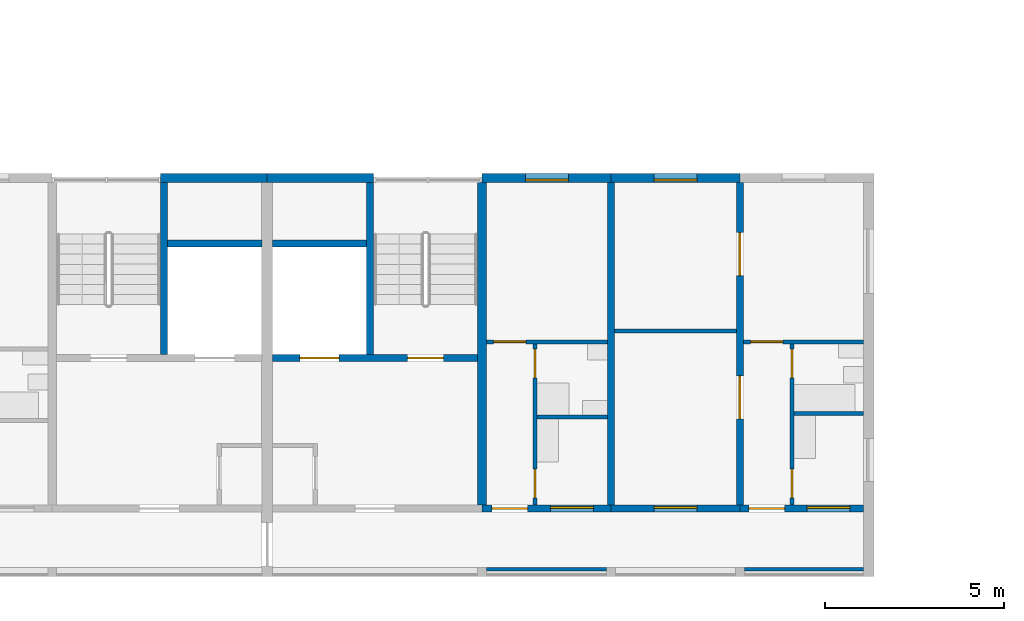
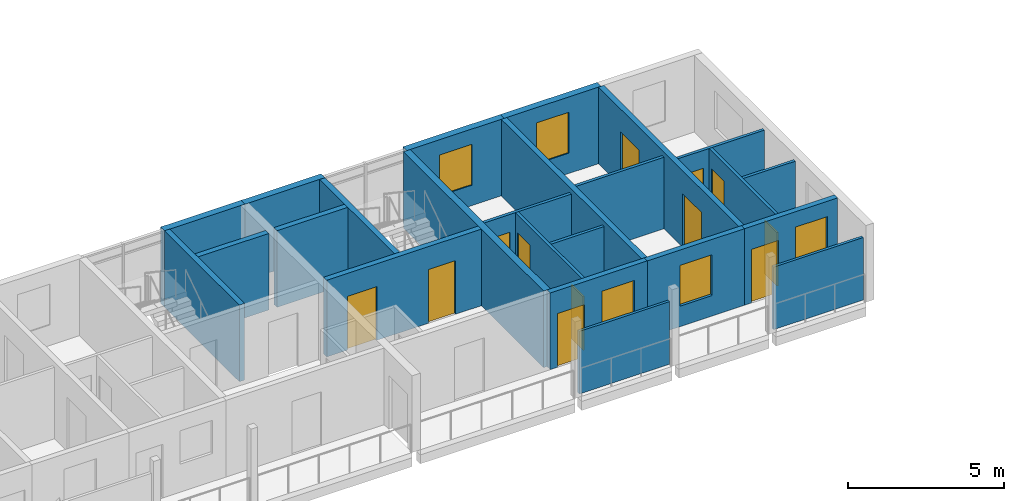
# One storey, part 44 of 87: 24 walls, 12 doors, 5 windows, 17 openings.
"""IFC4 building model written with IfcOpenShell, lengths in metres."""

from ifc_helpers import new_model, si_unit, direction, frame, frame_2d, origin, place, context, subcontext, project, spatial, rectangle, extrude, material, layer, layer_set, type_object, element, fill, save


model = new_model("IFC4")

# Units and contexts
model_context = context("Model", 3, precision=1e-05, world=origin(), true_north=direction((0.0, 1.0)))
body_context = subcontext(model_context, "Body", "Model", "MODEL_VIEW")
ifc_project = project(units=[si_unit("LENGTHUNIT", "METRE"), si_unit("AREAUNIT", "SQUARE_METRE"), si_unit("VOLUMEUNIT", "CUBIC_METRE"), si_unit("PLANEANGLEUNIT", "RADIAN"), si_unit("MASSUNIT", "GRAM", prefix="KILO")], contexts=[model_context])

# Site, building, storey
site_placement = place(None, origin())
site = spatial("IfcSite", under=ifc_project, at=site_placement, CompositionType="ELEMENT")
building_placement = place(site_placement, origin())
building = spatial("IfcBuilding", under=site, at=building_placement, Name="Ridgestep Commons", CompositionType="ELEMENT")
storey_placement = place(building_placement, frame((0.0, 0.0, 27.0)))
storey = spatial("IfcBuildingStorey", under=building, at=storey_placement, Name="L09", CompositionType="ELEMENT", Elevation=27.0)

# Walls
ifc_material_1 = material(Name="Concrete C30/37", Category="concrete")
ifc_layer_1 = layer(ifc_material_1, 0.25)
ifc_layer_set_1 = layer_set([ifc_layer_1], Name="Core cross wall 250")
wall_type_1 = type_object("IfcWallType", Name="Core cross wall 250", PredefinedType="SHEAR", material=ifc_layer_set_1)
wall_1_placement = place(storey_placement, frame((102.0, 13.75, 0.0), z_axis=(0.0, 0.0, 1.0), x_axis=(0.0, 1.0, 0.0)))
element("IfcWall", 1, at=wall_1_placement, inside=storey, type_object=wall_type_1, Name="Cross wall A-09-1020", PredefinedType="SHEAR", context=body_context, shape_type="SweptSolid", body=[
    extrude(rectangle(XDim=9.0, YDim=0.25, at=frame_2d((4.5, 0.0))), origin(), (0.0, 0.0, 1.0), 3.0),
])
ifc_material_2 = material(Name="Concrete C30/37", Category="concrete")
ifc_layer_2 = layer(ifc_material_2, 0.199951171875)
ifc_layer_set_2 = layer_set([ifc_layer_2], Name="Core wall 200")
wall_type_2 = type_object("IfcWallType", Name="Core wall 200", PredefinedType="SHEAR", material=ifc_layer_set_2)
wall_2_placement = place(storey_placement, frame((93.125, 17.949951171875, 0.0), z_axis=(0.0, 0.0, 1.0), x_axis=(0.0, 1.0, 0.0)))
element("IfcWall", 2, at=wall_2_placement, inside=storey, type_object=wall_type_2, Name="Core stair wall A5C L09", PredefinedType="SHEAR", context=body_context, shape_type="SweptSolid", body=[
    extrude(rectangle(XDim=4.800048828125, YDim=0.199951171875, at=frame_2d((2.39990234375, 0.0))), origin(), (0.0, 0.0, 1.0), 3.0),
])
wall_3_placement = place(storey_placement, frame((93.22509765625, 21.050048828125, 0.0), z_axis=(0.0, 0.0, 1.0), x_axis=(1.0, 0.0, 0.0)))
element("IfcWall", 3, at=wall_3_placement, inside=storey, type_object=wall_type_2, Name="Core duct wall A5C L09", PredefinedType="SHEAR", context=body_context, shape_type="SweptSolid", body=[
    extrude(rectangle(XDim=2.625, YDim=0.199951171875, at=frame_2d((1.3125, 0.0))), origin(), (0.0, 0.0, 1.0), 3.0),
])

# Wall, openings, doors
wall_4_placement = place(storey_placement, frame((96.14990234375, 17.85009765625, 0.0), z_axis=(0.0, 0.0, 1.0), x_axis=(1.0, 0.0, 0.0)))
wall_4 = element("IfcWall", 4, at=wall_4_placement, inside=storey, type_object=wall_type_2, Name="Core lobby wall A6C L09", PredefinedType="SHEAR", context=body_context, shape_type="SweptSolid", body=[
    extrude(rectangle(XDim=5.72509765625, YDim=0.199951171875, at=frame_2d((2.862548828125, 0.0))), origin(), (0.0, 0.0, 1.0), 3.0),
])
opening_1_placement = place(wall_4_placement, frame((3.77490234375, 0.0, 0.0)))
opening_1 = element("IfcOpeningElement", 5, at=opening_1_placement, cuts=wall_4, Name="Opening A6C/09/2", PredefinedType="OPENING", context=body_context, shape_type="SweptSolid", body=[
    extrude(rectangle(XDim=1.0, YDim=2.10009765625, at=frame_2d((0.5, 1.050048828125))), frame((0.0, 0.10986328125, 0.0), z_axis=(0.0, -1.0, 0.0), x_axis=(1.0, 0.0, 0.0)), (0.0, 0.0, 1.0), 0.219970703125),
])
opening_2_placement = place(wall_4_placement, frame((0.762451171875, 0.0, 0.0)))
opening_2 = element("IfcOpeningElement", 6, at=opening_2_placement, cuts=wall_4, Name="Opening A6C/09/3", PredefinedType="OPENING", context=body_context, shape_type="SweptSolid", body=[
    extrude(rectangle(XDim=1.10009765625, YDim=2.10009765625, at=frame_2d((0.550048828125, 1.050048828125))), frame((0.0, 0.10986328125, 0.0), z_axis=(0.0, -1.0, 0.0), x_axis=(1.0, 0.0, 0.0)), (0.0, 0.0, 1.0), 0.219970703125),
])
ifc_material_3 = material(Name="Stainless steel", Category="steel")
door_type_1 = type_object("IfcDoorType", Name="Lift landing door 1100 x 2100 FD60", OperationType="DOUBLE_DOOR_SLIDING", PredefinedType="DOOR", material=ifc_material_3)
door_1_placement = place(opening_2_placement, origin())
door_1 = element("IfcDoor", 7, at=door_1_placement, inside=storey, type_object=door_type_1, Name="Landing door LD A6C L09", OperationType="DOUBLE_DOOR_SLIDING", OverallHeight=2.10009765625, OverallWidth=1.10009765625, PredefinedType="DOOR", context=body_context, shape_type="SweptSolid", body=[
    extrude(rectangle(XDim=1.10009765625, YDim=2.10009765625, at=frame_2d((0.550048828125, 1.050048828125))), frame((0.0, 0.02490234375, 0.0), z_axis=(0.0, -1.0, 0.0), x_axis=(1.0, 0.0, 0.0)), (0.0, 0.0, 1.0), 0.050048828125),
])
fill(opening_2, door_1)
ifc_material_4 = material(Name="Steel fire door", Category="steel")
door_type_2 = type_object("IfcDoorType", Name="Stair door 1000 x 2100 FD60", OperationType="NOTDEFINED", PredefinedType="DOOR", material=ifc_material_4)
door_2_placement = place(opening_1_placement, origin())
door_2 = element("IfcDoor", 8, at=door_2_placement, inside=storey, type_object=door_type_2, Name="Stair door A6C/09/2", OperationType="SINGLE_SWING_RIGHT", OverallHeight=2.10009765625, OverallWidth=1.0, PredefinedType="DOOR", context=body_context, shape_type="SweptSolid", body=[
    extrude(rectangle(XDim=1.0, YDim=2.10009765625, at=frame_2d((0.5, 1.050048828125))), frame((0.0, 0.02490234375, 0.0), z_axis=(0.0, -1.0, 0.0), x_axis=(1.0, 0.0, 0.0)), (0.0, 0.0, 1.0), 0.050048828125),
])
fill(opening_1, door_2)

# Walls
wall_5_placement = place(storey_placement, frame((98.875, 17.949951171875, 0.0), z_axis=(0.0, 0.0, 1.0), x_axis=(0.0, 1.0, 0.0)))
element("IfcWall", 9, at=wall_5_placement, inside=storey, type_object=wall_type_2, Name="Core stair wall A6C L09", PredefinedType="SHEAR", context=body_context, shape_type="SweptSolid", body=[
    extrude(rectangle(XDim=4.800048828125, YDim=0.199951171875, at=frame_2d((2.39990234375, 0.0))), origin(), (0.0, 0.0, 1.0), 3.0),
])
wall_6_placement = place(storey_placement, frame((96.14990234375, 21.050048828125, 0.0), z_axis=(0.0, 0.0, 1.0), x_axis=(1.0, 0.0, 0.0)))
element("IfcWall", 10, at=wall_6_placement, inside=storey, type_object=wall_type_2, Name="Core duct wall A6C L09", PredefinedType="SHEAR", context=body_context, shape_type="SweptSolid", body=[
    extrude(rectangle(XDim=2.625, YDim=0.199951171875, at=frame_2d((1.3125, 0.0))), origin(), (0.0, 0.0, 1.0), 3.0),
])
ifc_material_5 = material(Name="Precast concrete C40/50", Category="concrete")
ifc_layer_3 = layer(ifc_material_5, 0.199951171875)
ifc_layer_set_3 = layer_set([ifc_layer_3], Name="Cross wall 200")
wall_type_3 = type_object("IfcWallType", Name="Cross wall 200", PredefinedType="SHEAR", material=ifc_layer_set_3)
wall_7_placement = place(storey_placement, frame((105.60009765625, 13.75, 0.0), z_axis=(0.0, 0.0, 1.0), x_axis=(0.0, 1.0, 0.0)))
element("IfcWall", 11, at=wall_7_placement, inside=storey, type_object=wall_type_3, Name="Cross wall A-09-1056", PredefinedType="SHEAR", context=body_context, shape_type="SweptSolid", body=[
    extrude(rectangle(XDim=9.0, YDim=0.199951171875, at=frame_2d((4.5, 0.0))), origin(), (0.0, 0.0, 1.0), 3.0),
])

# Wall, openings, doors
wall_8_placement = place(storey_placement, frame((109.199951171875, 13.75, 0.0), z_axis=(0.0, 0.0, 1.0), x_axis=(0.0, 1.0, 0.0)))
wall_8 = element("IfcWall", 12, at=wall_8_placement, inside=storey, type_object=wall_type_3, Name="Cross wall A-09-1092", PredefinedType="SHEAR", context=body_context, shape_type="SweptSolid", body=[
    extrude(rectangle(XDim=9.0, YDim=0.199951171875, at=frame_2d((4.5, 0.0))), origin(), (0.0, 0.0, 1.0), 3.0),
])
opening_3_placement = place(wall_8_placement, frame((2.39990234375, 0.0, 0.0)))
opening_3 = element("IfcOpeningElement", 13, at=opening_3_placement, cuts=wall_8, Name="Opening A6-09a/5", PredefinedType="OPENING", context=body_context, shape_type="SweptSolid", body=[
    extrude(rectangle(XDim=1.199951171875, YDim=2.10009765625, at=frame_2d((0.60009765625, 1.050048828125))), frame((0.0, 0.10986328125, 0.0), z_axis=(0.0, -1.0, 0.0), x_axis=(1.0, 0.0, 0.0)), (0.0, 0.0, 1.0), 0.219970703125),
])
opening_4_placement = place(wall_8_placement, frame((6.39990234375, 0.0, 0.0)))
opening_4 = element("IfcOpeningElement", 14, at=opening_4_placement, cuts=wall_8, Name="Opening A6-09a/6", PredefinedType="OPENING", context=body_context, shape_type="SweptSolid", body=[
    extrude(rectangle(XDim=1.199951171875, YDim=2.10009765625, at=frame_2d((0.60009765625, 1.050048828125))), frame((0.0, 0.10986328125, 0.0), z_axis=(0.0, -1.0, 0.0), x_axis=(1.0, 0.0, 0.0)), (0.0, 0.0, 1.0), 0.219970703125),
])
ifc_material_6 = material(Name="Timber door leaf", Category="wood")
door_type_3 = type_object("IfcDoorType", Name="Double door 1200 x 2100", OperationType="DOUBLE_DOOR_SINGLE_SWING", PredefinedType="DOOR", material=ifc_material_6)
door_3_placement = place(opening_3_placement, origin())
door_3 = element("IfcDoor", 15, at=door_3_placement, inside=storey, type_object=door_type_3, Name="Double door A6-09a/5", OperationType="DOUBLE_DOOR_SINGLE_SWING", OverallHeight=2.10009765625, OverallWidth=1.199951171875, PredefinedType="DOOR", context=body_context, shape_type="SweptSolid", body=[
    extrude(rectangle(XDim=1.199951171875, YDim=2.10009765625, at=frame_2d((0.60009765625, 1.050048828125))), frame((0.0, 0.02490234375, 0.0), z_axis=(0.0, -1.0, 0.0), x_axis=(1.0, 0.0, 0.0)), (0.0, 0.0, 1.0), 0.050048828125),
])
fill(opening_3, door_3)
door_4_placement = place(opening_4_placement, origin())
door_4 = element("IfcDoor", 16, at=door_4_placement, inside=storey, type_object=door_type_3, Name="Double door A6-09a/6", OperationType="DOUBLE_DOOR_SINGLE_SWING", OverallHeight=2.10009765625, OverallWidth=1.199951171875, PredefinedType="DOOR", context=body_context, shape_type="SweptSolid", body=[
    extrude(rectangle(XDim=1.199951171875, YDim=2.10009765625, at=frame_2d((0.60009765625, 1.050048828125))), frame((0.0, 0.02490234375, 0.0), z_axis=(0.0, -1.0, 0.0), x_axis=(1.0, 0.0, 0.0)), (0.0, 0.0, 1.0), 0.050048828125),
])
fill(opening_4, door_4)

# Walls
ifc_material_7 = material(Name="Precast concrete C40/50", Category="concrete")
ifc_layer_4 = layer(ifc_material_7, 0.25)
ifc_layer_set_4 = layer_set([ifc_layer_4], Name="North facade panel 250")
wall_type_4 = type_object("IfcWallType", Name="North facade panel 250", PredefinedType="SOLIDWALL", material=ifc_layer_set_4)
for number, where, z_axis, x_axis, name in (
    (17, (93.02490234375, 22.875, 0.0), (0.0, 0.0, 1.0), (1.0, 0.0, 0.0), "North panel A5C L09"),
    (18, (96.0, 22.875, 0.0), (0.0, 0.0, 1.0), (1.0, 0.0, 0.0), "North panel A6C L09"),
):
    element("IfcWall", number, at=place(storey_placement, frame(where, z_axis=z_axis, x_axis=x_axis)), inside=storey, type_object=wall_type_4, Name=name, PredefinedType="SOLIDWALL", context=body_context, shape_type="SweptSolid", body=[
        extrude(rectangle(XDim=2.97509765625, YDim=0.25, at=frame_2d((1.487548828125, 0.0))), origin(), (0.0, 0.0, 1.0), 3.0),
    ])

# Wall, opening, window
wall_9_placement = place(storey_placement, frame((102.0, 22.875, 0.0), z_axis=(0.0, 0.0, 1.0), x_axis=(1.0, 0.0, 0.0)))
wall_9 = element("IfcWall", 19, at=wall_9_placement, inside=storey, type_object=wall_type_4, Name="North panel A6T3 L09", PredefinedType="SOLIDWALL", context=body_context, shape_type="SweptSolid", body=[
    extrude(rectangle(XDim=3.60009765625, YDim=0.25, at=frame_2d((1.800048828125, 0.0))), origin(), (0.0, 0.0, 1.0), 3.0),
])
opening_5_placement = place(wall_9_placement, frame((1.21240234375, 0.0, 0.800048828125)))
opening_5 = element("IfcOpeningElement", 20, at=opening_5_placement, cuts=wall_9, Name="Opening W11", PredefinedType="OPENING", context=body_context, shape_type="SweptSolid", body=[
    extrude(rectangle(XDim=1.199951171875, YDim=1.60009765625, at=frame_2d((0.60009765625, 0.800048828125))), frame((0.0, 0.135009765625, 0.0), z_axis=(0.0, -1.0, 0.0), x_axis=(1.0, 0.0, 0.0)), (0.0, 0.0, 1.0), 0.27001953125),
])
ifc_material_8 = material(Name="Aluminium 6063-T6 and glass", Category="aluminium")
window_type_1 = type_object("IfcWindowType", Name="Flat window 1200 x 1600", PartitioningType="SINGLE_PANEL", PredefinedType="WINDOW", material=ifc_material_8)
window_1_placement = place(opening_5_placement, origin())
window_1 = element("IfcWindow", 21, at=window_1_placement, inside=storey, type_object=window_type_1, Name="Window A6-09b 2", OverallHeight=1.60009765625, OverallWidth=1.199951171875, PartitioningType="SINGLE_PANEL", PredefinedType="WINDOW", context=body_context, shape_type="SweptSolid", body=[
    extrude(rectangle(XDim=1.199951171875, YDim=1.60009765625, at=frame_2d((0.60009765625, 0.800048828125))), frame((0.0, -0.02490234375, 0.0), z_axis=(0.0, -1.0, 0.0), x_axis=(1.0, 0.0, 0.0)), (0.0, 0.0, 1.0), 0.06005859375),
])
fill(opening_5, window_1)

wall_10_placement = place(storey_placement, frame((105.60009765625, 22.875, 0.0), z_axis=(0.0, 0.0, 1.0), x_axis=(1.0, 0.0, 0.0)))
wall_10 = element("IfcWall", 22, at=wall_10_placement, inside=storey, type_object=wall_type_4, Name="North panel A6T2 L09", PredefinedType="SOLIDWALL", context=body_context, shape_type="SweptSolid", body=[
    extrude(rectangle(XDim=3.599853515625, YDim=0.25, at=frame_2d((1.7998046875, 0.0))), origin(), (0.0, 0.0, 1.0), 3.0),
])
opening_6_placement = place(wall_10_placement, frame((1.199951171875, 0.0, 0.800048828125)))
opening_6 = element("IfcOpeningElement", 23, at=opening_6_placement, cuts=wall_10, Name="Opening W11", PredefinedType="OPENING", context=body_context, shape_type="SweptSolid", body=[
    extrude(rectangle(XDim=1.199951171875, YDim=1.60009765625, at=frame_2d((0.60009765625, 0.800048828125))), frame((0.0, 0.135009765625, 0.0), z_axis=(0.0, -1.0, 0.0), x_axis=(1.0, 0.0, 0.0)), (0.0, 0.0, 1.0), 0.27001953125),
])
window_2_placement = place(opening_6_placement, origin())
window_2 = element("IfcWindow", 24, at=window_2_placement, inside=storey, type_object=window_type_1, Name="Window A6-09a 2", OverallHeight=1.60009765625, OverallWidth=1.199951171875, PartitioningType="SINGLE_PANEL", PredefinedType="WINDOW", context=body_context, shape_type="SweptSolid", body=[
    extrude(rectangle(XDim=1.199951171875, YDim=1.60009765625, at=frame_2d((0.60009765625, 0.800048828125))), frame((0.0, -0.02490234375, 0.0), z_axis=(0.0, -1.0, 0.0), x_axis=(1.0, 0.0, 0.0)), (0.0, 0.0, 1.0), 0.06005859375),
])
fill(opening_6, window_2)

# Wall, openings, doors
ifc_material_9 = material(Name="Common brick 110 mm", Category="masonry")
ifc_layer_5 = layer(ifc_material_9, 0.110107421875)
ifc_layer_set_5 = layer_set([ifc_layer_5], Name="Partition 110")
wall_type_5 = type_object("IfcWallType", Name="Partition 110", PredefinedType="PARTITIONING", material=ifc_layer_set_5)
wall_11_placement = place(storey_placement, frame((110.655029296875, 13.75, 0.0), z_axis=(0.0, 0.0, 1.0), x_axis=(0.0, 1.0, 0.0)))
wall_11 = element("IfcWall", 25, at=wall_11_placement, inside=storey, type_object=wall_type_5, Name="Partition A6-09a", PredefinedType="PARTITIONING", context=body_context, shape_type="SweptSolid", body=[
    extrude(rectangle(XDim=4.5, YDim=0.110107421875, at=frame_2d((2.25, 0.0))), origin(), (0.0, 0.0, 1.0), 2.800048828125),
])
opening_7_placement = place(wall_11_placement, frame((0.199951171875, 0.0, 0.0)))
opening_7 = element("IfcOpeningElement", 26, at=opening_7_placement, cuts=wall_11, Name="Opening A6-09a/2", PredefinedType="OPENING", context=body_context, shape_type="SweptSolid", body=[
    extrude(rectangle(XDim=0.800048828125, YDim=2.10009765625, at=frame_2d((0.39990234375, 1.050048828125))), frame((0.0, 0.06494140625, 0.0), z_axis=(0.0, -1.0, 0.0), x_axis=(1.0, 0.0, 0.0)), (0.0, 0.0, 1.0), 0.130126953125),
])
opening_8_placement = place(wall_11_placement, frame((3.550048828125, 0.0, 0.0)))
opening_8 = element("IfcOpeningElement", 27, at=opening_8_placement, cuts=wall_11, Name="Opening A6-09a/3", PredefinedType="OPENING", context=body_context, shape_type="SweptSolid", body=[
    extrude(rectangle(XDim=0.800048828125, YDim=2.10009765625, at=frame_2d((0.39990234375, 1.050048828125))), frame((0.0, 0.06494140625, 0.0), z_axis=(0.0, -1.0, 0.0), x_axis=(1.0, 0.0, 0.0)), (0.0, 0.0, 1.0), 0.130126953125),
])
ifc_material_10 = material(Name="Timber door leaf", Category="wood")
door_type_4 = type_object("IfcDoorType", Name="Internal door 800 x 2100", OperationType="NOTDEFINED", PredefinedType="DOOR", material=ifc_material_10)
door_5_placement = place(opening_7_placement, origin())
door_5 = element("IfcDoor", 28, at=door_5_placement, inside=storey, type_object=door_type_4, Name="Internal door A6-09a/2", OperationType="SINGLE_SWING_RIGHT", OverallHeight=2.10009765625, OverallWidth=0.800048828125, PredefinedType="DOOR", context=body_context, shape_type="SweptSolid", body=[
    extrude(rectangle(XDim=0.800048828125, YDim=2.10009765625, at=frame_2d((0.39990234375, 1.050048828125))), frame((0.0, 0.02490234375, 0.0), z_axis=(0.0, -1.0, 0.0), x_axis=(1.0, 0.0, 0.0)), (0.0, 0.0, 1.0), 0.050048828125),
])
fill(opening_7, door_5)
door_6_placement = place(opening_8_placement, origin())
door_6 = element("IfcDoor", 29, at=door_6_placement, inside=storey, type_object=door_type_4, Name="Internal door A6-09a/3", OperationType="SINGLE_SWING_LEFT", OverallHeight=2.10009765625, OverallWidth=0.800048828125, PredefinedType="DOOR", context=body_context, shape_type="SweptSolid", body=[
    extrude(rectangle(XDim=0.800048828125, YDim=2.10009765625, at=frame_2d((0.39990234375, 1.050048828125))), frame((0.0, 0.02490234375, 0.0), z_axis=(0.0, -1.0, 0.0), x_axis=(1.0, 0.0, 0.0)), (0.0, 0.0, 1.0), 0.050048828125),
])
fill(opening_8, door_6)

# Wall
wall_12_placement = place(storey_placement, frame((110.7099609375, 16.304931640625, 0.0), z_axis=(0.0, 0.0, 1.0), x_axis=(1.0, 0.0, 0.0)))
element("IfcWall", 30, at=wall_12_placement, inside=storey, type_object=wall_type_5, Name="Partition A6-09a", PredefinedType="PARTITIONING", context=body_context, shape_type="SweptSolid", body=[
    extrude(rectangle(XDim=1.93994140625, YDim=0.110107421875, at=frame_2d((0.969970703125, 0.0))), origin(), (0.0, 0.0, 1.0), 2.800048828125),
])

# Wall, opening, door
wall_13_placement = place(storey_placement, frame((109.300048828125, 18.304931640625, 0.0), z_axis=(0.0, 0.0, 1.0), x_axis=(1.0, 0.0, 0.0)))
wall_13 = element("IfcWall", 31, at=wall_13_placement, inside=storey, type_object=wall_type_5, Name="Partition A6-09a", PredefinedType="PARTITIONING", context=body_context, shape_type="SweptSolid", body=[
    extrude(rectangle(XDim=3.349853515625, YDim=0.110107421875, at=frame_2d((1.6748046875, 0.0))), origin(), (0.0, 0.0, 1.0), 2.800048828125),
])
opening_9_placement = place(wall_13_placement, frame((0.199951171875, 0.0, 0.0)))
opening_9 = element("IfcOpeningElement", 32, at=opening_9_placement, cuts=wall_13, Name="Opening A6-09a/4", PredefinedType="OPENING", context=body_context, shape_type="SweptSolid", body=[
    extrude(rectangle(XDim=0.89990234375, YDim=2.10009765625, at=frame_2d((0.449951171875, 1.050048828125))), frame((0.0, 0.06494140625, 0.0), z_axis=(0.0, -1.0, 0.0), x_axis=(1.0, 0.0, 0.0)), (0.0, 0.0, 1.0), 0.130126953125),
])
ifc_material_11 = material(Name="Timber door leaf", Category="wood")
door_type_5 = type_object("IfcDoorType", Name="Internal door 900 x 2100", OperationType="NOTDEFINED", PredefinedType="DOOR", material=ifc_material_11)
door_7_placement = place(opening_9_placement, origin())
door_7 = element("IfcDoor", 33, at=door_7_placement, inside=storey, type_object=door_type_5, Name="Internal door A6-09a/4", OperationType="SINGLE_SWING_LEFT", OverallHeight=2.10009765625, OverallWidth=0.89990234375, PredefinedType="DOOR", context=body_context, shape_type="SweptSolid", body=[
    extrude(rectangle(XDim=0.89990234375, YDim=2.10009765625, at=frame_2d((0.449951171875, 1.050048828125))), frame((0.0, 0.02490234375, 0.0), z_axis=(0.0, -1.0, 0.0), x_axis=(1.0, 0.0, 0.0)), (0.0, 0.0, 1.0), 0.050048828125),
])
fill(opening_9, door_7)

# Wall
wall_14_placement = place(storey_placement, frame((105.699951171875, 18.60498046875, 0.0), z_axis=(0.0, 0.0, 1.0), x_axis=(1.0, 0.0, 0.0)))
element("IfcWall", 34, at=wall_14_placement, inside=storey, type_object=wall_type_5, Name="Partition A6-09a", PredefinedType="PARTITIONING", context=body_context, shape_type="SweptSolid", body=[
    extrude(rectangle(XDim=3.400146484375, YDim=0.110107421875, at=frame_2d((1.7001953125, 0.0))), origin(), (0.0, 0.0, 1.0), 2.800048828125),
])

# Wall, openings, doors
wall_15_placement = place(storey_placement, frame((103.47998046875, 13.75, 0.0), z_axis=(0.0, 0.0, 1.0), x_axis=(0.0, 1.0, 0.0)))
wall_15 = element("IfcWall", 35, at=wall_15_placement, inside=storey, type_object=wall_type_5, Name="Partition A6-09b", PredefinedType="PARTITIONING", context=body_context, shape_type="SweptSolid", body=[
    extrude(rectangle(XDim=4.5, YDim=0.110107421875, at=frame_2d((2.25, 0.0))), origin(), (0.0, 0.0, 1.0), 2.800048828125),
])
opening_10_placement = place(wall_15_placement, frame((0.199951171875, 0.0, 0.0)))
opening_10 = element("IfcOpeningElement", 36, at=opening_10_placement, cuts=wall_15, Name="Opening A6-09b/2", PredefinedType="OPENING", context=body_context, shape_type="SweptSolid", body=[
    extrude(rectangle(XDim=0.800048828125, YDim=2.10009765625, at=frame_2d((0.39990234375, 1.050048828125))), frame((0.0, 0.06494140625, 0.0), z_axis=(0.0, -1.0, 0.0), x_axis=(1.0, 0.0, 0.0)), (0.0, 0.0, 1.0), 0.130126953125),
])
opening_11_placement = place(wall_15_placement, frame((3.550048828125, 0.0, 0.0)))
opening_11 = element("IfcOpeningElement", 37, at=opening_11_placement, cuts=wall_15, Name="Opening A6-09b/3", PredefinedType="OPENING", context=body_context, shape_type="SweptSolid", body=[
    extrude(rectangle(XDim=0.800048828125, YDim=2.10009765625, at=frame_2d((0.39990234375, 1.050048828125))), frame((0.0, 0.06494140625, 0.0), z_axis=(0.0, -1.0, 0.0), x_axis=(1.0, 0.0, 0.0)), (0.0, 0.0, 1.0), 0.130126953125),
])
door_8_placement = place(opening_10_placement, origin())
door_8 = element("IfcDoor", 38, at=door_8_placement, inside=storey, type_object=door_type_4, Name="Internal door A6-09b/2", OperationType="SINGLE_SWING_RIGHT", OverallHeight=2.10009765625, OverallWidth=0.800048828125, PredefinedType="DOOR", context=body_context, shape_type="SweptSolid", body=[
    extrude(rectangle(XDim=0.800048828125, YDim=2.10009765625, at=frame_2d((0.39990234375, 1.050048828125))), frame((0.0, 0.02490234375, 0.0), z_axis=(0.0, -1.0, 0.0), x_axis=(1.0, 0.0, 0.0)), (0.0, 0.0, 1.0), 0.050048828125),
])
fill(opening_10, door_8)
door_9_placement = place(opening_11_placement, origin())
door_9 = element("IfcDoor", 39, at=door_9_placement, inside=storey, type_object=door_type_4, Name="Internal door A6-09b/3", OperationType="SINGLE_SWING_LEFT", OverallHeight=2.10009765625, OverallWidth=0.800048828125, PredefinedType="DOOR", context=body_context, shape_type="SweptSolid", body=[
    extrude(rectangle(XDim=0.800048828125, YDim=2.10009765625, at=frame_2d((0.39990234375, 1.050048828125))), frame((0.0, 0.02490234375, 0.0), z_axis=(0.0, -1.0, 0.0), x_axis=(1.0, 0.0, 0.0)), (0.0, 0.0, 1.0), 0.050048828125),
])
fill(opening_11, door_9)

# Wall
wall_16_placement = place(storey_placement, frame((103.534912109375, 16.205078125, 0.0), z_axis=(0.0, 0.0, 1.0), x_axis=(1.0, 0.0, 0.0)))
element("IfcWall", 40, at=wall_16_placement, inside=storey, type_object=wall_type_5, Name="Partition A6-09b", PredefinedType="PARTITIONING", context=body_context, shape_type="SweptSolid", body=[
    extrude(rectangle(XDim=1.965087890625, YDim=0.110107421875, at=frame_2d((0.982421875, 0.0))), origin(), (0.0, 0.0, 1.0), 2.800048828125),
])

# Wall, opening, door
wall_17_placement = place(storey_placement, frame((102.125, 18.304931640625, 0.0), z_axis=(0.0, 0.0, 1.0), x_axis=(1.0, 0.0, 0.0)))
wall_17 = element("IfcWall", 41, at=wall_17_placement, inside=storey, type_object=wall_type_5, Name="Partition A6-09b", PredefinedType="PARTITIONING", context=body_context, shape_type="SweptSolid", body=[
    extrude(rectangle(XDim=3.375, YDim=0.110107421875, at=frame_2d((1.6875, 0.0))), origin(), (0.0, 0.0, 1.0), 2.800048828125),
])
opening_12_placement = place(wall_17_placement, frame((0.199951171875, 0.0, 0.0)))
opening_12 = element("IfcOpeningElement", 42, at=opening_12_placement, cuts=wall_17, Name="Opening A6-09b/4", PredefinedType="OPENING", context=body_context, shape_type="SweptSolid", body=[
    extrude(rectangle(XDim=0.89990234375, YDim=2.10009765625, at=frame_2d((0.449951171875, 1.050048828125))), frame((0.0, 0.06494140625, 0.0), z_axis=(0.0, -1.0, 0.0), x_axis=(1.0, 0.0, 0.0)), (0.0, 0.0, 1.0), 0.130126953125),
])
door_10_placement = place(opening_12_placement, origin())
door_10 = element("IfcDoor", 43, at=door_10_placement, inside=storey, type_object=door_type_5, Name="Internal door A6-09b/4", OperationType="SINGLE_SWING_RIGHT", OverallHeight=2.10009765625, OverallWidth=0.89990234375, PredefinedType="DOOR", context=body_context, shape_type="SweptSolid", body=[
    extrude(rectangle(XDim=0.89990234375, YDim=2.10009765625, at=frame_2d((0.449951171875, 1.050048828125))), frame((0.0, 0.02490234375, 0.0), z_axis=(0.0, -1.0, 0.0), x_axis=(1.0, 0.0, 0.0)), (0.0, 0.0, 1.0), 0.050048828125),
])
fill(opening_12, door_10)

# Walls
ifc_material_12 = material(Name="Precast concrete C30/37", Category="concrete")
ifc_layer_6 = layer(ifc_material_12, 0.10009765625)
ifc_layer_set_6 = layer_set([ifc_layer_6], Name="Perforated gallery screen 3325 x 2450 x 100")
wall_type_6 = type_object("IfcWallType", Name="Perforated gallery screen 3325 x 2450 x 100", PredefinedType="SOLIDWALL", material=ifc_layer_set_6)
wall_18_placement = place(storey_placement, frame((109.324951171875, 11.949951171875, 0.0), z_axis=(0.0, 0.0, 1.0), x_axis=(1.0, 0.0, 0.0)))
element("IfcWall", 44, at=wall_18_placement, inside=storey, type_object=wall_type_6, Name="Gallery screen A6T1 09", PredefinedType="SOLIDWALL", context=body_context, shape_type="SweptSolid", body=[
    extrude(rectangle(XDim=3.324951171875, YDim=0.10009765625, at=frame_2d((1.66259765625, 0.0))), origin(), (0.0, 0.0, 1.0), 2.449951171875),
])
ifc_material_13 = material(Name="Precast concrete C30/37", Category="concrete")
ifc_layer_7 = layer(ifc_material_13, 0.10009765625)
ifc_layer_set_7 = layer_set([ifc_layer_7], Name="Perforated gallery screen 3350 x 2450 x 100")
wall_type_7 = type_object("IfcWallType", Name="Perforated gallery screen 3350 x 2450 x 100", PredefinedType="SOLIDWALL", material=ifc_layer_set_7)
wall_19_placement = place(storey_placement, frame((102.125, 11.949951171875, 0.0), z_axis=(0.0, 0.0, 1.0), x_axis=(1.0, 0.0, 0.0)))
element("IfcWall", 45, at=wall_19_placement, inside=storey, type_object=wall_type_7, Name="Gallery screen A6T3 09", PredefinedType="SOLIDWALL", context=body_context, shape_type="SweptSolid", body=[
    extrude(rectangle(XDim=3.35009765625, YDim=0.10009765625, at=frame_2d((1.675048828125, 0.0))), origin(), (0.0, 0.0, 1.0), 2.449951171875),
])

# Wall, openings, door, window
ifc_material_14 = material(Name="Precast concrete C40/50", Category="concrete")
ifc_layer_8 = layer(ifc_material_14, 0.199951171875)
ifc_layer_set_8 = layer_set([ifc_layer_8], Name="South facade panel 200")
wall_type_8 = type_object("IfcWallType", Name="South facade panel 200", PredefinedType="SOLIDWALL", material=ifc_layer_set_8)
wall_20_placement = place(storey_placement, frame((102.0, 13.64990234375, 0.0), z_axis=(0.0, 0.0, 1.0), x_axis=(1.0, 0.0, 0.0)))
wall_20 = element("IfcWall", 46, at=wall_20_placement, inside=storey, type_object=wall_type_8, Name="South panel A6T3 L09", PredefinedType="SOLIDWALL", context=body_context, shape_type="SweptSolid", body=[
    extrude(rectangle(XDim=3.60009765625, YDim=0.199951171875, at=frame_2d((1.800048828125, 0.0))), origin(), (0.0, 0.0, 1.0), 3.0),
])
opening_13_placement = place(wall_20_placement, frame((1.91748046875, 0.0, 1.10009765625)))
opening_13 = element("IfcOpeningElement", 47, at=opening_13_placement, cuts=wall_20, Name="Opening W08", PredefinedType="OPENING", context=body_context, shape_type="SweptSolid", body=[
    extrude(rectangle(XDim=1.199951171875, YDim=1.300048828125, at=frame_2d((0.60009765625, 0.64990234375))), frame((0.0, 0.10986328125, 0.0), z_axis=(0.0, -1.0, 0.0), x_axis=(1.0, 0.0, 0.0)), (0.0, 0.0, 1.0), 0.219970703125),
])
opening_14_placement = place(wall_20_placement, frame((0.27490234375, 0.0, 0.0)))
opening_14 = element("IfcOpeningElement", 48, at=opening_14_placement, cuts=wall_20, Name="Opening A6-09b/1", PredefinedType="OPENING", context=body_context, shape_type="SweptSolid", body=[
    extrude(rectangle(XDim=1.0, YDim=2.10009765625, at=frame_2d((0.5, 1.050048828125))), frame((0.0, 0.10986328125, 0.0), z_axis=(0.0, -1.0, 0.0), x_axis=(1.0, 0.0, 0.0)), (0.0, 0.0, 1.0), 0.219970703125),
])
ifc_material_15 = material(Name="Timber door leaf", Category="wood")
door_type_6 = type_object("IfcDoorType", Name="Flat entrance door 1000 x 2100 FD30S", OperationType="NOTDEFINED", PredefinedType="DOOR", material=ifc_material_15)
door_11_placement = place(opening_14_placement, origin())
door_11 = element("IfcDoor", 49, at=door_11_placement, inside=storey, type_object=door_type_6, Name="Flat entrance door A6-09b/1", OperationType="SINGLE_SWING_LEFT", OverallHeight=2.10009765625, OverallWidth=1.0, PredefinedType="DOOR", context=body_context, shape_type="SweptSolid", body=[
    extrude(rectangle(XDim=1.0, YDim=2.10009765625, at=frame_2d((0.5, 1.050048828125))), frame((0.0, 0.02490234375, 0.0), z_axis=(0.0, -1.0, 0.0), x_axis=(1.0, 0.0, 0.0)), (0.0, 0.0, 1.0), 0.050048828125),
])
fill(opening_14, door_11)
ifc_material_16 = material(Name="Aluminium 6063-T6 and glass", Category="aluminium")
window_type_2 = type_object("IfcWindowType", Name="Flat window 1200 x 1300", PartitioningType="SINGLE_PANEL", PredefinedType="WINDOW", material=ifc_material_16)
window_3_placement = place(opening_13_placement, origin())
window_3 = element("IfcWindow", 50, at=window_3_placement, inside=storey, type_object=window_type_2, Name="Window A6-09b 1", OverallHeight=1.300048828125, OverallWidth=1.199951171875, PartitioningType="SINGLE_PANEL", PredefinedType="WINDOW", context=body_context, shape_type="SweptSolid", body=[
    extrude(rectangle(XDim=1.199951171875, YDim=1.300048828125, at=frame_2d((0.60009765625, 0.64990234375))), frame((0.0, 0.06005859375, 0.0), z_axis=(0.0, -1.0, 0.0), x_axis=(1.0, 0.0, 0.0)), (0.0, 0.0, 1.0), 0.06005859375),
])
fill(opening_13, window_3)

# Wall, opening, window
wall_21_placement = place(storey_placement, frame((105.60009765625, 13.64990234375, 0.0), z_axis=(0.0, 0.0, 1.0), x_axis=(1.0, 0.0, 0.0)))
wall_21 = element("IfcWall", 51, at=wall_21_placement, inside=storey, type_object=wall_type_8, Name="South panel A6T2 L09", PredefinedType="SOLIDWALL", context=body_context, shape_type="SweptSolid", body=[
    extrude(rectangle(XDim=3.599853515625, YDim=0.199951171875, at=frame_2d((1.7998046875, 0.0))), origin(), (0.0, 0.0, 1.0), 3.0),
])
opening_15_placement = place(wall_21_placement, frame((1.199951171875, 0.0, 0.800048828125)))
opening_15 = element("IfcOpeningElement", 52, at=opening_15_placement, cuts=wall_21, Name="Opening W11", PredefinedType="OPENING", context=body_context, shape_type="SweptSolid", body=[
    extrude(rectangle(XDim=1.199951171875, YDim=1.60009765625, at=frame_2d((0.60009765625, 0.800048828125))), frame((0.0, 0.10986328125, 0.0), z_axis=(0.0, -1.0, 0.0), x_axis=(1.0, 0.0, 0.0)), (0.0, 0.0, 1.0), 0.219970703125),
])
window_4_placement = place(opening_15_placement, origin())
window_4 = element("IfcWindow", 53, at=window_4_placement, inside=storey, type_object=window_type_1, Name="Window A6-09a 1", OverallHeight=1.60009765625, OverallWidth=1.199951171875, PartitioningType="SINGLE_PANEL", PredefinedType="WINDOW", context=body_context, shape_type="SweptSolid", body=[
    extrude(rectangle(XDim=1.199951171875, YDim=1.60009765625, at=frame_2d((0.60009765625, 0.800048828125))), frame((0.0, 0.06005859375, 0.0), z_axis=(0.0, -1.0, 0.0), x_axis=(1.0, 0.0, 0.0)), (0.0, 0.0, 1.0), 0.06005859375),
])
fill(opening_15, window_4)

# Wall, openings, door, window
wall_22_placement = place(storey_placement, frame((109.199951171875, 13.64990234375, 0.0), z_axis=(0.0, 0.0, 1.0), x_axis=(1.0, 0.0, 0.0)))
wall_22 = element("IfcWall", 54, at=wall_22_placement, inside=storey, type_object=wall_type_8, Name="South panel A6T1 L09", PredefinedType="SOLIDWALL", context=body_context, shape_type="SweptSolid", body=[
    extrude(rectangle(XDim=3.449951171875, YDim=0.199951171875, at=frame_2d((1.72509765625, 0.0))), origin(), (0.0, 0.0, 1.0), 3.0),
])
opening_16_placement = place(wall_22_placement, frame((1.8798828125, 0.0, 1.10009765625)))
opening_16 = element("IfcOpeningElement", 55, at=opening_16_placement, cuts=wall_22, Name="Opening W08", PredefinedType="OPENING", context=body_context, shape_type="SweptSolid", body=[
    extrude(rectangle(XDim=1.199951171875, YDim=1.300048828125, at=frame_2d((0.60009765625, 0.64990234375))), frame((0.0, 0.10986328125, 0.0), z_axis=(0.0, -1.0, 0.0), x_axis=(1.0, 0.0, 0.0)), (0.0, 0.0, 1.0), 0.219970703125),
])
opening_17_placement = place(wall_22_placement, frame((0.25, 0.0, 0.0)))
opening_17 = element("IfcOpeningElement", 56, at=opening_17_placement, cuts=wall_22, Name="Opening A6-09a/1", PredefinedType="OPENING", context=body_context, shape_type="SweptSolid", body=[
    extrude(rectangle(XDim=1.0, YDim=2.10009765625, at=frame_2d((0.5, 1.050048828125))), frame((0.0, 0.10986328125, 0.0), z_axis=(0.0, -1.0, 0.0), x_axis=(1.0, 0.0, 0.0)), (0.0, 0.0, 1.0), 0.219970703125),
])
door_12_placement = place(opening_17_placement, origin())
door_12 = element("IfcDoor", 57, at=door_12_placement, inside=storey, type_object=door_type_6, Name="Flat entrance door A6-09a/1", OperationType="SINGLE_SWING_LEFT", OverallHeight=2.10009765625, OverallWidth=1.0, PredefinedType="DOOR", context=body_context, shape_type="SweptSolid", body=[
    extrude(rectangle(XDim=1.0, YDim=2.10009765625, at=frame_2d((0.5, 1.050048828125))), frame((0.0, 0.02490234375, 0.0), z_axis=(0.0, -1.0, 0.0), x_axis=(1.0, 0.0, 0.0)), (0.0, 0.0, 1.0), 0.050048828125),
])
fill(opening_17, door_12)
window_5_placement = place(opening_16_placement, origin())
window_5 = element("IfcWindow", 58, at=window_5_placement, inside=storey, type_object=window_type_2, Name="Window A6-09a 3", OverallHeight=1.300048828125, OverallWidth=1.199951171875, PartitioningType="SINGLE_PANEL", PredefinedType="WINDOW", context=body_context, shape_type="SweptSolid", body=[
    extrude(rectangle(XDim=1.199951171875, YDim=1.300048828125, at=frame_2d((0.60009765625, 0.64990234375))), frame((0.0, 0.06005859375, 0.0), z_axis=(0.0, -1.0, 0.0), x_axis=(1.0, 0.0, 0.0)), (0.0, 0.0, 1.0), 0.06005859375),
])
fill(opening_16, window_5)

save(model, "model.ifc")
